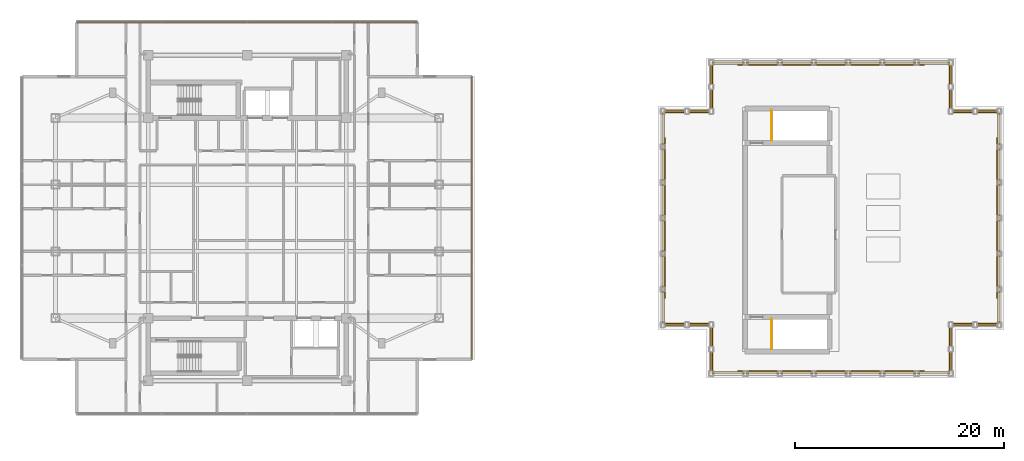
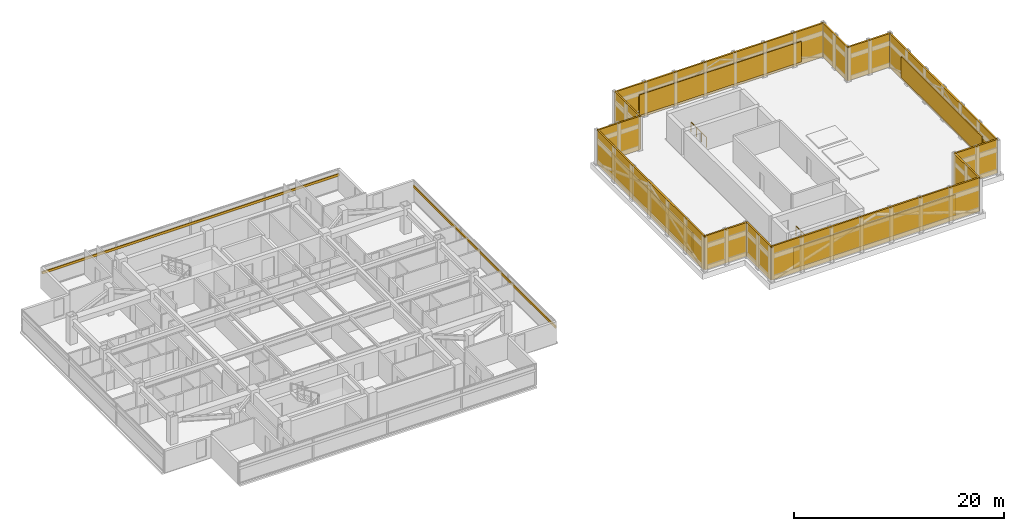
# One storey, part 17 of 17: 18 shading devices, 2 railings.
"""IFC4 building model written with IfcOpenShell, lengths in metres."""

from ifc_helpers import new_model, si_unit, direction, frame, frame_2d, origin, origin_2d, place, context, subcontext, project, spatial, rectangle, circle, extrude, material, layer, layer_set, material_profile, profile_set, type_object, element, save


model = new_model("IFC4")

# Units and contexts
model_context = context("Model", 3, precision=1e-05, world=origin(), true_north=direction((0.0, 1.0)))
body_context = subcontext(model_context, "Body", "Model", "MODEL_VIEW")
ifc_project = project(units=[si_unit("LENGTHUNIT", "METRE"), si_unit("AREAUNIT", "SQUARE_METRE"), si_unit("VOLUMEUNIT", "CUBIC_METRE"), si_unit("PLANEANGLEUNIT", "RADIAN"), si_unit("MASSUNIT", "GRAM", prefix="KILO")], contexts=[model_context])

# Site, building, storey
site_placement = place(None, origin())
site = spatial("IfcSite", under=ifc_project, at=site_placement, CompositionType="ELEMENT")
building_placement = place(site_placement, origin())
building = spatial("IfcBuilding", under=site, at=building_placement, Name="Mirazonda Arch Towers", CompositionType="ELEMENT")
storey_placement = place(building_placement, frame((0.0, 0.0, 209.64990234375)))
storey = spatial("IfcBuildingStorey", under=building, at=storey_placement, Name="L60", CompositionType="ELEMENT", Elevation=209.64990234375)

# Shading devices
ifc_material_1 = material(Name="Kiln-Fired Architectural Terracotta", Category="masonry")
ifc_material_profile = material_profile(ifc_material_1, rectangle(XDim=0.139892578125, YDim=0.280029296875, at=origin_2d()), Name="TERRA-BAG-140x280")
ifc_profile_set = profile_set([ifc_material_profile], Name="Kiln-Fired Architectural Terracotta")
shading_device_type_1 = type_object("IfcShadingDeviceType", Name="BAGUETTE-3", PredefinedType="USERDEFINED", material=ifc_profile_set)
shading_device_1_placement = place(storey_placement, frame((42.070068359375, 14.44091796875, 1.807373046875), z_axis=(0.0, 1.0, 0.0), x_axis=(-1.0, 0.0, 0.0)))
element("IfcShadingDevice", 1, at=shading_device_1_placement, inside=storey, type_object=shading_device_type_1, Name="L60 Glazed Terracotta Sun-Screen Baguette CW-L60-T1-E", ObjectType="BAGUETTE", PredefinedType="USERDEFINED", context=body_context, shape_type="SweptSolid", body=[
    extrude(rectangle(XDim=0.139892578125, YDim=0.280029296875, at=origin_2d()), origin(), (0.0, 0.0, 1.0), 27.1181640625),
])
shading_device_2_placement = place(storey_placement, frame((4.14501953125, 46.77392578125, 1.807373046875), z_axis=(1.0, 0.0, 0.0), x_axis=(0.0, 1.0, 0.0)))
element("IfcShadingDevice", 2, at=shading_device_2_placement, inside=storey, type_object=shading_device_type_1, Name="L60 Glazed Terracotta Sun-Screen Baguette CW-L60-T1-N", ObjectType="BAGUETTE", PredefinedType="USERDEFINED", context=body_context, shape_type="SweptSolid", body=[
    extrude(rectangle(XDim=0.139892578125, YDim=0.280029296875, at=origin_2d()), origin(), (0.0, 0.0, 1.0), 32.7099609375),
])

# Railings
ifc_material_2 = material(Name="Architectural Brushed Steel S355", Category="steel")
railing_type = type_object("IfcRailingType", Name="GUARD-STAIR-1120", PredefinedType="GUARDRAIL", material=ifc_material_2)
for number, where, name in (
    (3, (70.800048828125, 35.419921875, 0.0), "L60 ST-T2N top well guard 1"),
    (4, (70.800048828125, 15.419921875, 0.0), "L60 ST-T2S top well guard 1"),
):
    element("IfcRailing", number, at=place(storey_placement, frame(where)), inside=storey, type_object=railing_type, Name=name, PredefinedType="GUARDRAIL", context=body_context, shape_type="SweptSolid", body=[
        extrude(circle(Radius=0.02392578125, at=origin_2d()), frame((0.0, 0.0, 1.1259765625), z_axis=(0.0, 1.0, 0.0), x_axis=(-1.0, 0.0, 0.0)), (0.0, 0.0, 1.0), 2.940185546875),
        extrude(circle(Radius=0.02099609375, at=origin_2d()), origin(), (0.0, 0.0, 1.0), 1.101806640625),
        extrude(circle(Radius=0.02099609375, at=origin_2d()), frame((0.0, 0.97998046875, 0.0)), (0.0, 0.0, 1.0), 1.101806640625),
        extrude(circle(Radius=0.02099609375, at=origin_2d()), frame((0.0, 1.960205078125, 0.0)), (0.0, 0.0, 1.0), 1.101806640625),
        extrude(circle(Radius=0.02099609375, at=origin_2d()), frame((0.0, 2.940185546875, 0.0)), (0.0, 0.0, 1.0), 1.101806640625),
    ])

# Shading devices
ifc_material_3 = material(Name="Anodised Aluminium Alloy", Category="aluminium")
ifc_layer_1 = layer(ifc_material_3, 0.14990234375, Name="LOUVRE-PLANT")
ifc_layer_set_1 = layer_set([ifc_layer_1], Name="Anodised Aluminium Alloy")
shading_device_type_2 = type_object("IfcShadingDeviceType", Name="LOUVRE-PLANT", PredefinedType="JALOUSIE", material=ifc_layer_set_1)
shading_device_3_placement = place(storey_placement, frame((67.562255859375, 13.281494140625, 0.400146484375), z_axis=(0.0, 0.0, 1.0), x_axis=(1.0, 0.0, 0.0)))
element("IfcShadingDevice", 5, at=shading_device_3_placement, inside=storey, type_object=shading_device_type_2, Name="T2 Crown Plant Intake Acoustic Louvre E01", PredefinedType="JALOUSIE", context=body_context, shape_type="SweptSolid", body=[
    extrude(rectangle(XDim=17.87548828125, YDim=0.14990234375, at=frame_2d((8.937744140625, 0.0))), origin(), (0.0, 0.0, 1.0), 2.39990234375),
])
shading_device_4_placement = place(storey_placement, frame((92.45751953125, 20.30126953125, 0.400146484375), z_axis=(0.0, 0.0, 1.0), x_axis=(0.0, 1.0, 0.0)))
element("IfcShadingDevice", 6, at=shading_device_4_placement, inside=storey, type_object=shading_device_type_2, Name="T2 Crown Plant Intake Acoustic Louvre E04", PredefinedType="JALOUSIE", context=body_context, shape_type="SweptSolid", body=[
    extrude(rectangle(XDim=15.3974609375, YDim=0.14990234375, at=frame_2d((7.69873046875, 0.0))), origin(), (0.0, 0.0, 1.0), 2.39990234375),
])
shading_device_5_placement = place(storey_placement, frame((85.437744140625, 42.718505859375, 0.400146484375), z_axis=(0.0, 0.0, 1.0), x_axis=(-1.0, 0.0, 0.0)))
element("IfcShadingDevice", 7, at=shading_device_5_placement, inside=storey, type_object=shading_device_type_2, Name="T2 Crown Plant Intake Acoustic Louvre E07", PredefinedType="JALOUSIE", context=body_context, shape_type="SweptSolid", body=[
    extrude(rectangle(XDim=17.87548828125, YDim=0.14990234375, at=frame_2d((8.937744140625, 0.0))), origin(), (0.0, 0.0, 1.0), 2.39990234375),
])
shading_device_6_placement = place(storey_placement, frame((60.54248046875, 35.69873046875, 0.400146484375), z_axis=(0.0, 0.0, 1.0), x_axis=(0.0, -1.0, 0.0)))
element("IfcShadingDevice", 8, at=shading_device_6_placement, inside=storey, type_object=shading_device_type_2, Name="T2 Crown Plant Intake Acoustic Louvre E10", PredefinedType="JALOUSIE", context=body_context, shape_type="SweptSolid", body=[
    extrude(rectangle(XDim=15.3974609375, YDim=0.14990234375, at=frame_2d((7.69873046875, 0.0))), origin(), (0.0, 0.0, 1.0), 2.39990234375),
])
ifc_layer_2 = layer(ifc_material_1, 0.179931640625, Name="SCREEN-CROWN")
ifc_layer_set_2 = layer_set([ifc_layer_2], Name="Kiln-Fired Architectural Terracotta")
shading_device_type_3 = type_object("IfcShadingDeviceType", Name="SCREEN-CROWN", PredefinedType="SHUTTER", material=ifc_layer_set_2)
shading_device_7_placement = place(storey_placement, frame((65.062255859375, 13.1416015625, 0.050048828125), z_axis=(0.0, 0.0, 1.0), x_axis=(1.0, 0.0, 0.0)))
element("IfcShadingDevice", 9, at=shading_device_7_placement, inside=storey, type_object=shading_device_type_3, Name="T2 Constructivist Ring Crown Terracotta Screen E01", PredefinedType="SHUTTER", context=body_context, shape_type="SweptSolid", body=[
    extrude(rectangle(XDim=22.87548828125, YDim=0.179931640625, at=frame_2d((11.437744140625, 0.0))), origin(), (0.0, 0.0, 1.0), 3.929931640625),
])
for number, where, z_axis, x_axis, name in (
    (10, (87.937744140625, 13.1416015625, 0.050048828125), (0.0, 0.0, 1.0), (0.0, 1.0, 0.0), "T2 Constructivist Ring Crown Terracotta Screen E02"),
    (11, (87.937744140625, 17.80126953125, 0.050048828125), (0.0, 0.0, 1.0), (1.0, 0.0, 0.0), "T2 Constructivist Ring Crown Terracotta Screen E03"),
):
    element("IfcShadingDevice", number, at=place(storey_placement, frame(where, z_axis=z_axis, x_axis=x_axis)), inside=storey, type_object=shading_device_type_3, Name=name, PredefinedType="SHUTTER", context=body_context, shape_type="SweptSolid", body=[
        extrude(rectangle(XDim=4.65966796875, YDim=0.179931640625, at=frame_2d((2.329833984375, 0.0))), origin(), (0.0, 0.0, 1.0), 3.929931640625),
    ])
shading_device_8_placement = place(storey_placement, frame((92.597412109375, 17.80126953125, 0.050048828125), z_axis=(0.0, 0.0, 1.0), x_axis=(0.0, 1.0, 0.0)))
element("IfcShadingDevice", 12, at=shading_device_8_placement, inside=storey, type_object=shading_device_type_3, Name="T2 Constructivist Ring Crown Terracotta Screen E04", PredefinedType="SHUTTER", context=body_context, shape_type="SweptSolid", body=[
    extrude(rectangle(XDim=20.3974609375, YDim=0.179931640625, at=frame_2d((10.19873046875, 0.0))), origin(), (0.0, 0.0, 1.0), 3.929931640625),
])
for number, where, z_axis, x_axis, name in (
    (13, (92.597412109375, 38.19873046875, 0.050048828125), (0.0, 0.0, 1.0), (-1.0, 0.0, 0.0), "T2 Constructivist Ring Crown Terracotta Screen E05"),
    (14, (87.937744140625, 38.19873046875, 0.050048828125), (0.0, 0.0, 1.0), (0.0, 1.0, 0.0), "T2 Constructivist Ring Crown Terracotta Screen E06"),
):
    element("IfcShadingDevice", number, at=place(storey_placement, frame(where, z_axis=z_axis, x_axis=x_axis)), inside=storey, type_object=shading_device_type_3, Name=name, PredefinedType="SHUTTER", context=body_context, shape_type="SweptSolid", body=[
        extrude(rectangle(XDim=4.65966796875, YDim=0.179931640625, at=frame_2d((2.329833984375, 0.0))), origin(), (0.0, 0.0, 1.0), 3.929931640625),
    ])
shading_device_9_placement = place(storey_placement, frame((87.937744140625, 42.8583984375, 0.050048828125), z_axis=(0.0, 0.0, 1.0), x_axis=(-1.0, 0.0, 0.0)))
element("IfcShadingDevice", 15, at=shading_device_9_placement, inside=storey, type_object=shading_device_type_3, Name="T2 Constructivist Ring Crown Terracotta Screen E07", PredefinedType="SHUTTER", context=body_context, shape_type="SweptSolid", body=[
    extrude(rectangle(XDim=22.87548828125, YDim=0.179931640625, at=frame_2d((11.437744140625, 0.0))), origin(), (0.0, 0.0, 1.0), 3.929931640625),
])
for number, where, z_axis, x_axis, name in (
    (16, (65.062255859375, 42.8583984375, 0.050048828125), (0.0, 0.0, 1.0), (0.0, -1.0, 0.0), "T2 Constructivist Ring Crown Terracotta Screen E08"),
    (17, (65.062255859375, 38.19873046875, 0.050048828125), (0.0, 0.0, 1.0), (-1.0, 0.0, 0.0), "T2 Constructivist Ring Crown Terracotta Screen E09"),
):
    element("IfcShadingDevice", number, at=place(storey_placement, frame(where, z_axis=z_axis, x_axis=x_axis)), inside=storey, type_object=shading_device_type_3, Name=name, PredefinedType="SHUTTER", context=body_context, shape_type="SweptSolid", body=[
        extrude(rectangle(XDim=4.65966796875, YDim=0.179931640625, at=frame_2d((2.329833984375, 0.0))), origin(), (0.0, 0.0, 1.0), 3.929931640625),
    ])
shading_device_10_placement = place(storey_placement, frame((60.402587890625, 38.19873046875, 0.050048828125), z_axis=(0.0, 0.0, 1.0), x_axis=(0.0, -1.0, 0.0)))
element("IfcShadingDevice", 18, at=shading_device_10_placement, inside=storey, type_object=shading_device_type_3, Name="T2 Constructivist Ring Crown Terracotta Screen E10", PredefinedType="SHUTTER", context=body_context, shape_type="SweptSolid", body=[
    extrude(rectangle(XDim=20.3974609375, YDim=0.179931640625, at=frame_2d((10.19873046875, 0.0))), origin(), (0.0, 0.0, 1.0), 3.929931640625),
])
for number, where, z_axis, x_axis, name in (
    (19, (60.402587890625, 17.80126953125, 0.050048828125), (0.0, 0.0, 1.0), (1.0, 0.0, 0.0), "T2 Constructivist Ring Crown Terracotta Screen E11"),
    (20, (65.062255859375, 17.80126953125, 0.050048828125), (0.0, 0.0, 1.0), (0.0, -1.0, 0.0), "T2 Constructivist Ring Crown Terracotta Screen E12"),
):
    element("IfcShadingDevice", number, at=place(storey_placement, frame(where, z_axis=z_axis, x_axis=x_axis)), inside=storey, type_object=shading_device_type_3, Name=name, PredefinedType="SHUTTER", context=body_context, shape_type="SweptSolid", body=[
        extrude(rectangle(XDim=4.65966796875, YDim=0.179931640625, at=frame_2d((2.329833984375, 0.0))), origin(), (0.0, 0.0, 1.0), 3.929931640625),
    ])

save(model, "model.ifc")
